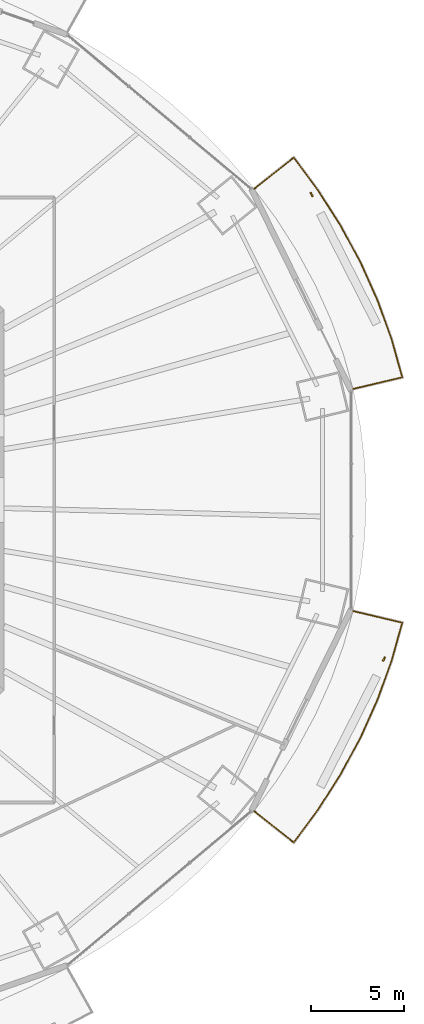
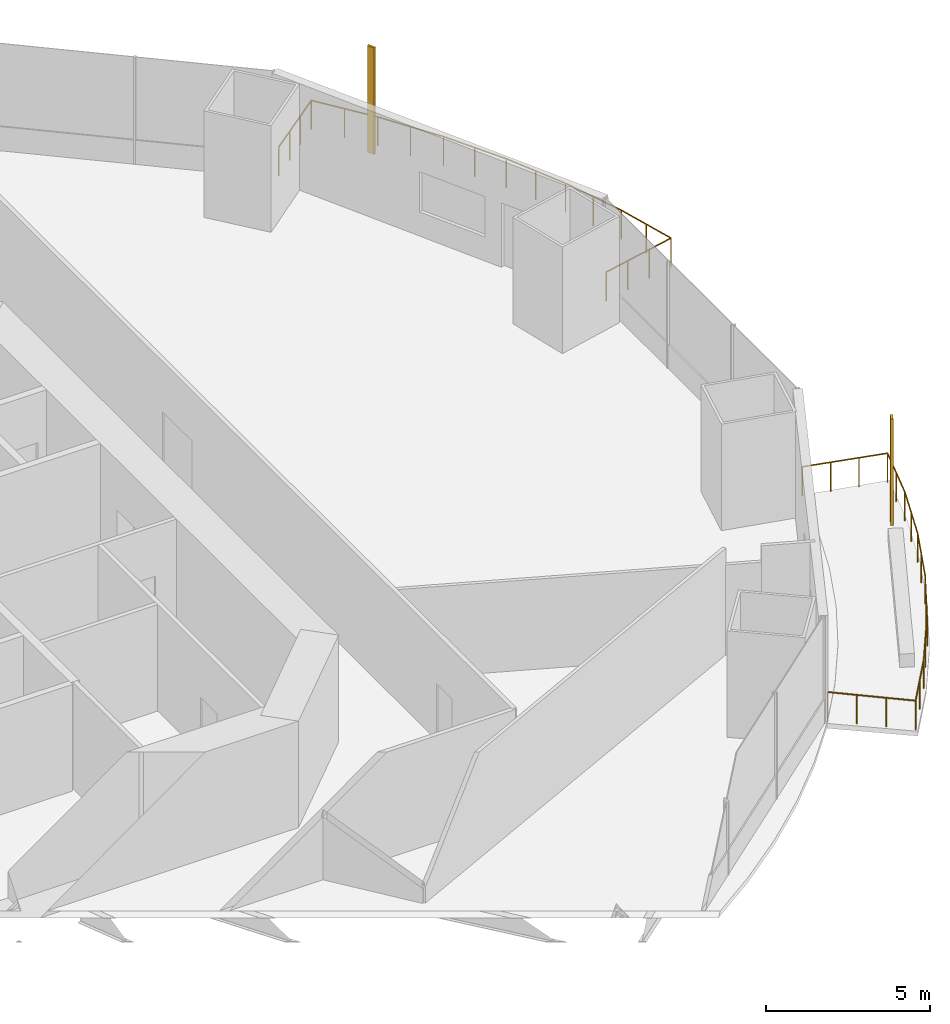
# One storey, part 22 of 23: 2 railings, 2 shading devices.
"""IFC4 building model written with IfcOpenShell, lengths in metres."""

from ifc_helpers import new_model, si_unit, direction, frame, origin, origin_2d, place, context, subcontext, project, spatial, rectangle, circle, extrude, material, material_profile, profile_set, type_object, element, save


model = new_model("IFC4")

# Units and contexts
model_context = context("Model", 3, precision=1e-05, world=origin(), true_north=direction((0.0, 1.0)))
body_context = subcontext(model_context, "Body", "Model", "MODEL_VIEW")
ifc_project = project(units=[si_unit("LENGTHUNIT", "METRE"), si_unit("AREAUNIT", "SQUARE_METRE"), si_unit("VOLUMEUNIT", "CUBIC_METRE"), si_unit("PLANEANGLEUNIT", "RADIAN"), si_unit("MASSUNIT", "GRAM", prefix="KILO")], contexts=[model_context])

# Site, building, storey
site_placement = place(None, origin())
site = spatial("IfcSite", under=ifc_project, at=site_placement, CompositionType="ELEMENT")
building_placement = place(site_placement, origin())
building = spatial("IfcBuilding", under=site, at=building_placement, Name="Marenthal Gate Tower", CompositionType="ELEMENT")
storey_placement = place(building_placement, frame((0.0, 0.0, 57.89990234375)))
storey = spatial("IfcBuildingStorey", under=building, at=storey_placement, Name="L10", CompositionType="ELEMENT", Elevation=57.89990234375)

# Railings
ifc_material_1 = material(Name="Stainless steel", Category="steel")
railing_type = type_object("IfcRailingType", Name="Balcony guard 1100", PredefinedType="GUARDRAIL", material=ifc_material_1)
railing_1_placement = place(storey_placement, frame((30.078369140625, 16.754150390625, 0.0)))
element("IfcRailing", 1, at=railing_1_placement, inside=storey, type_object=railing_type, Name="Balcony guard L10 bay 1", PredefinedType="GUARDRAIL", context=body_context, shape_type="SweptSolid", body=[
    extrude(circle(Radius=0.02392578125, at=origin_2d()), frame((0.0, 0.0, 1.076171875), z_axis=(0.782105703361, 0.622974028807, -0.014629702737), x_axis=(-0.623040706516, 0.782189413137, 0.0)), (0.0, 0.0, 1.0), 2.72021484375),
    extrude(circle(Radius=0.02392578125, at=origin_2d()), frame((2.12744140625, 1.694580078125, 1.0361328125), z_axis=(0.59484873049, -0.803837662613, 0.0), x_axis=(0.803837662613, 0.59484873049, 0.0)), (0.0, 0.0, 1.0), 2.204345703125),
    extrude(circle(Radius=0.02392578125, at=origin_2d()), frame((3.438720703125, -0.077392578125, 1.0361328125), z_axis=(0.537628198706, -0.843182020655, 0.0), x_axis=(0.843182020655, 0.537628198706, 0.0)), (0.0, 0.0, 1.0), 2.26611328125),
    extrude(circle(Radius=0.02392578125, at=origin_2d()), frame((4.656982421875, -1.988037109375, 1.0361328125), z_axis=(0.475471623431, -0.879731058513, 0.0), x_axis=(0.879731058513, 0.475471623431, 0.0)), (0.0, 0.0, 1.0), 2.2490234375),
    extrude(circle(Radius=0.02392578125, at=origin_2d()), frame((5.726318359375, -3.966552734375, 1.0361328125), z_axis=(0.40966465878, -0.912236190549, 0.0), x_axis=(0.912236190549, 0.40966465878, 0.0)), (0.0, 0.0, 1.0), 2.233642578125),
    extrude(circle(Radius=0.02392578125, at=origin_2d()), frame((6.641357421875, -6.004150390625, 1.0361328125), z_axis=(0.340268465621, -0.94032833165, 0.0), x_axis=(0.94032833165, 0.340268465621, 0.0)), (0.0, 0.0, 1.0), 2.220703125),
    extrude(circle(Radius=0.02392578125, at=origin_2d()), frame((7.39697265625, -8.09228515625, 1.0361328125), z_axis=(0.269464118276, -0.96301043035, 0.0), x_axis=(0.96301043035, 0.269464118276, 0.0)), (0.0, 0.0, 1.0), 2.130126953125),
    extrude(circle(Radius=0.02392578125, at=origin_2d()), frame((7.970947265625, -10.1435546875, 1.0361328125), z_axis=(-0.97292794726, -0.230645219487, 0.014628471119), x_axis=(0.230669901584, -0.973032063451, 0.0)), (0.0, 0.0, 1.0), 2.720458984375),
    extrude(circle(Radius=0.02099609375, at=origin_2d()), origin(), (0.0, 0.0, 1.0), 1.052001953125),
    extrude(circle(Radius=0.02099609375, at=origin_2d()), frame((0.709228515625, 0.56494140625, -0.01318359375)), (0.0, 0.0, 1.0), 1.052001953125),
    extrude(circle(Radius=0.02099609375, at=origin_2d()), frame((1.418212890625, 1.129638671875, -0.026611328125)), (0.0, 0.0, 1.0), 1.052001953125),
    extrude(circle(Radius=0.02099609375, at=origin_2d()), frame((2.12744140625, 1.694580078125, -0.039794921875)), (0.0, 0.0, 1.0), 1.052001953125),
    extrude(circle(Radius=0.02099609375, at=origin_2d()), frame((2.783203125, 0.80859375, -0.039794921875)), (0.0, 0.0, 1.0), 1.052001953125),
    extrude(circle(Radius=0.02099609375, at=origin_2d()), frame((3.438720703125, -0.077392578125, -0.039794921875)), (0.0, 0.0, 1.0), 1.052001953125),
    extrude(circle(Radius=0.02099609375, at=origin_2d()), frame((4.0478515625, -1.03271484375, -0.039794921875)), (0.0, 0.0, 1.0), 1.052001953125),
    extrude(circle(Radius=0.02099609375, at=origin_2d()), frame((4.656982421875, -1.988037109375, -0.039794921875)), (0.0, 0.0, 1.0), 1.052001953125),
    extrude(circle(Radius=0.02099609375, at=origin_2d()), frame((5.191650390625, -2.977294921875, -0.039794921875)), (0.0, 0.0, 1.0), 1.052001953125),
    extrude(circle(Radius=0.02099609375, at=origin_2d()), frame((5.726318359375, -3.966552734375, -0.039794921875)), (0.0, 0.0, 1.0), 1.052001953125),
    extrude(circle(Radius=0.02099609375, at=origin_2d()), frame((6.183837890625, -4.9853515625, -0.039794921875)), (0.0, 0.0, 1.0), 1.052001953125),
    extrude(circle(Radius=0.02099609375, at=origin_2d()), frame((6.641357421875, -6.004150390625, -0.039794921875)), (0.0, 0.0, 1.0), 1.052001953125),
    extrude(circle(Radius=0.02099609375, at=origin_2d()), frame((7.01904296875, -7.04833984375, -0.039794921875)), (0.0, 0.0, 1.0), 1.052001953125),
    extrude(circle(Radius=0.02099609375, at=origin_2d()), frame((7.39697265625, -8.09228515625, -0.039794921875)), (0.0, 0.0, 1.0), 1.052001953125),
    extrude(circle(Radius=0.02099609375, at=origin_2d()), frame((7.68408203125, -9.117919921875, -0.039794921875)), (0.0, 0.0, 1.0), 1.052001953125),
    extrude(circle(Radius=0.02099609375, at=origin_2d()), frame((7.970947265625, -10.1435546875, -0.039794921875)), (0.0, 0.0, 1.0), 1.052001953125),
    extrude(circle(Radius=0.02099609375, at=origin_2d()), frame((7.088623046875, -10.352783203125, -0.026611328125)), (0.0, 0.0, 1.0), 1.052001953125),
    extrude(circle(Radius=0.02099609375, at=origin_2d()), frame((6.20654296875, -10.561767578125, -0.01318359375)), (0.0, 0.0, 1.0), 1.052001953125),
    extrude(circle(Radius=0.02099609375, at=origin_2d()), frame((5.32421875, -10.77099609375, 0.0)), (0.0, 0.0, 1.0), 1.052001953125),
])
railing_2_placement = place(storey_placement, frame((35.402587890625, -5.983154296875, 0.0)))
element("IfcRailing", 2, at=railing_2_placement, inside=storey, type_object=railing_type, Name="Balcony guard L10 bay 15", PredefinedType="GUARDRAIL", context=body_context, shape_type="SweptSolid", body=[
    extrude(circle(Radius=0.02392578125, at=origin_2d()), frame((0.0, 0.0, 1.076171875), z_axis=(0.97292794726, -0.230645219487, -0.014628471119), x_axis=(0.230669901584, 0.973032063451, 0.0)), (0.0, 0.0, 1.0), 2.720458984375),
    extrude(circle(Radius=0.02392578125, at=origin_2d()), frame((2.646728515625, -0.62744140625, 1.0361328125), z_axis=(-0.269464118276, -0.96301043035, 0.0), x_axis=(0.96301043035, -0.269464118276, 0.0)), (0.0, 0.0, 1.0), 2.130126953125),
    extrude(circle(Radius=0.02392578125, at=origin_2d()), frame((2.07275390625, -2.6787109375, 1.0361328125), z_axis=(-0.340268465621, -0.94032833165, 0.0), x_axis=(0.94032833165, -0.340268465621, 0.0)), (0.0, 0.0, 1.0), 2.220703125),
    extrude(circle(Radius=0.02392578125, at=origin_2d()), frame((1.317138671875, -4.766845703125, 1.0361328125), z_axis=(-0.40966465878, -0.912236190549, 0.0), x_axis=(0.912236190549, -0.40966465878, 0.0)), (0.0, 0.0, 1.0), 2.233642578125),
    extrude(circle(Radius=0.02392578125, at=origin_2d()), frame((0.402099609375, -6.804443359375, 1.0361328125), z_axis=(-0.475471623431, -0.879731058513, 0.0), x_axis=(0.879731058513, -0.475471623431, 0.0)), (0.0, 0.0, 1.0), 2.2490234375),
    extrude(circle(Radius=0.02392578125, at=origin_2d()), frame((-0.667236328125, -8.782958984375, 1.0361328125), z_axis=(-0.537628198706, -0.843182020655, 0.0), x_axis=(0.843182020655, -0.537628198706, 0.0)), (0.0, 0.0, 1.0), 2.26611328125),
    extrude(circle(Radius=0.02392578125, at=origin_2d()), frame((-1.885498046875, -10.693603515625, 1.0361328125), z_axis=(-0.59484873049, -0.803837662613, 0.0), x_axis=(0.803837662613, -0.59484873049, 0.0)), (0.0, 0.0, 1.0), 2.204345703125),
    extrude(circle(Radius=0.02392578125, at=origin_2d()), frame((-3.19677734375, -12.465576171875, 1.0361328125), z_axis=(-0.782105703361, 0.622974028807, 0.014629702737), x_axis=(-0.623040706516, -0.782189413137, 0.0)), (0.0, 0.0, 1.0), 2.72021484375),
    extrude(circle(Radius=0.02099609375, at=origin_2d()), origin(), (0.0, 0.0, 1.0), 1.052001953125),
    extrude(circle(Radius=0.02099609375, at=origin_2d()), frame((0.88232421875, -0.209228515625, -0.01318359375)), (0.0, 0.0, 1.0), 1.052001953125),
    extrude(circle(Radius=0.02099609375, at=origin_2d()), frame((1.764404296875, -0.418212890625, -0.026611328125)), (0.0, 0.0, 1.0), 1.052001953125),
    extrude(circle(Radius=0.02099609375, at=origin_2d()), frame((2.646728515625, -0.62744140625, -0.039794921875)), (0.0, 0.0, 1.0), 1.052001953125),
    extrude(circle(Radius=0.02099609375, at=origin_2d()), frame((2.35986328125, -1.653076171875, -0.039794921875)), (0.0, 0.0, 1.0), 1.052001953125),
    extrude(circle(Radius=0.02099609375, at=origin_2d()), frame((2.07275390625, -2.6787109375, -0.039794921875)), (0.0, 0.0, 1.0), 1.052001953125),
    extrude(circle(Radius=0.02099609375, at=origin_2d()), frame((1.69482421875, -3.72265625, -0.039794921875)), (0.0, 0.0, 1.0), 1.052001953125),
    extrude(circle(Radius=0.02099609375, at=origin_2d()), frame((1.317138671875, -4.766845703125, -0.039794921875)), (0.0, 0.0, 1.0), 1.052001953125),
    extrude(circle(Radius=0.02099609375, at=origin_2d()), frame((0.859619140625, -5.78564453125, -0.039794921875)), (0.0, 0.0, 1.0), 1.052001953125),
    extrude(circle(Radius=0.02099609375, at=origin_2d()), frame((0.402099609375, -6.804443359375, -0.039794921875)), (0.0, 0.0, 1.0), 1.052001953125),
    extrude(circle(Radius=0.02099609375, at=origin_2d()), frame((-0.132568359375, -7.793701171875, -0.039794921875)), (0.0, 0.0, 1.0), 1.052001953125),
    extrude(circle(Radius=0.02099609375, at=origin_2d()), frame((-0.667236328125, -8.782958984375, -0.039794921875)), (0.0, 0.0, 1.0), 1.052001953125),
    extrude(circle(Radius=0.02099609375, at=origin_2d()), frame((-1.2763671875, -9.73828125, -0.039794921875)), (0.0, 0.0, 1.0), 1.052001953125),
    extrude(circle(Radius=0.02099609375, at=origin_2d()), frame((-1.885498046875, -10.693603515625, -0.039794921875)), (0.0, 0.0, 1.0), 1.052001953125),
    extrude(circle(Radius=0.02099609375, at=origin_2d()), frame((-2.541015625, -11.57958984375, -0.039794921875)), (0.0, 0.0, 1.0), 1.052001953125),
    extrude(circle(Radius=0.02099609375, at=origin_2d()), frame((-3.19677734375, -12.465576171875, -0.039794921875)), (0.0, 0.0, 1.0), 1.052001953125),
    extrude(circle(Radius=0.02099609375, at=origin_2d()), frame((-3.906005859375, -11.900634765625, -0.026611328125)), (0.0, 0.0, 1.0), 1.052001953125),
    extrude(circle(Radius=0.02099609375, at=origin_2d()), frame((-4.614990234375, -11.3359375, -0.01318359375)), (0.0, 0.0, 1.0), 1.052001953125),
    extrude(circle(Radius=0.02099609375, at=origin_2d()), frame((-5.32421875, -10.77099609375, 0.0)), (0.0, 0.0, 1.0), 1.052001953125),
])

# Shading devices
ifc_material_2 = material(Name="Terracotta", Category="masonry")
ifc_material_profile = material_profile(ifc_material_2, rectangle(XDim=0.25, YDim=0.080078125, at=origin_2d()), Name="Terracotta baguette 250x80")
ifc_profile_set = profile_set([ifc_material_profile], Name="Terracotta")
shading_device_type = type_object("IfcShadingDeviceType", Name="Terracotta BAGUETTE SCREEN 250x80", PredefinedType="USERDEFINED", material=ifc_profile_set)
for number, where, z_axis, x_axis, name in (
    (3, (33.17041015625, 16.453125, -0.039794921875), (0.0, 0.0, 1.0), (-0.442993196296, 0.896524973459, 0.0), "Terracotta BAGUETTE L10 bay 1R"),
    (4, (37.06591796875, -8.569580078125, -0.039794921875), (0.0, 0.0, 1.0), (0.442993196296, 0.896524973459, 0.0), "Terracotta BAGUETTE L10 bay 15R"),
):
    element("IfcShadingDevice", number, at=place(storey_placement, frame(where, z_axis=z_axis, x_axis=x_axis)), inside=storey, type_object=shading_device_type, Name=name, ObjectType="BAGUETTE SCREEN", PredefinedType="USERDEFINED", context=body_context, shape_type="SweptSolid", body=[
        extrude(rectangle(XDim=0.25, YDim=0.080078125, at=origin_2d()), origin(), (0.0, 0.0, 1.0), 3.969970703125),
    ])

save(model, "model.ifc")
